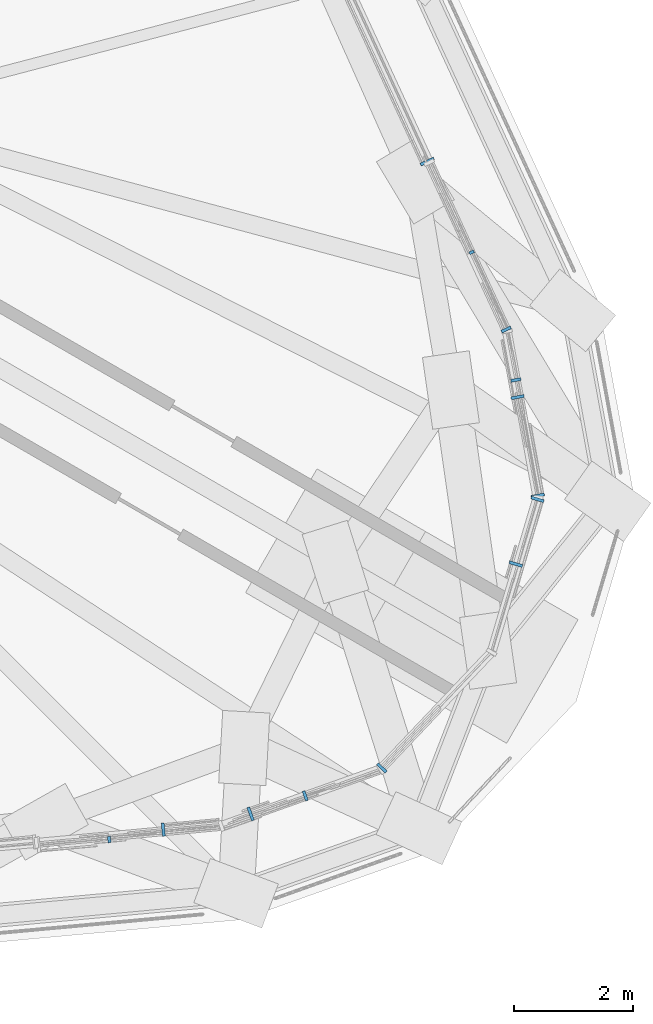
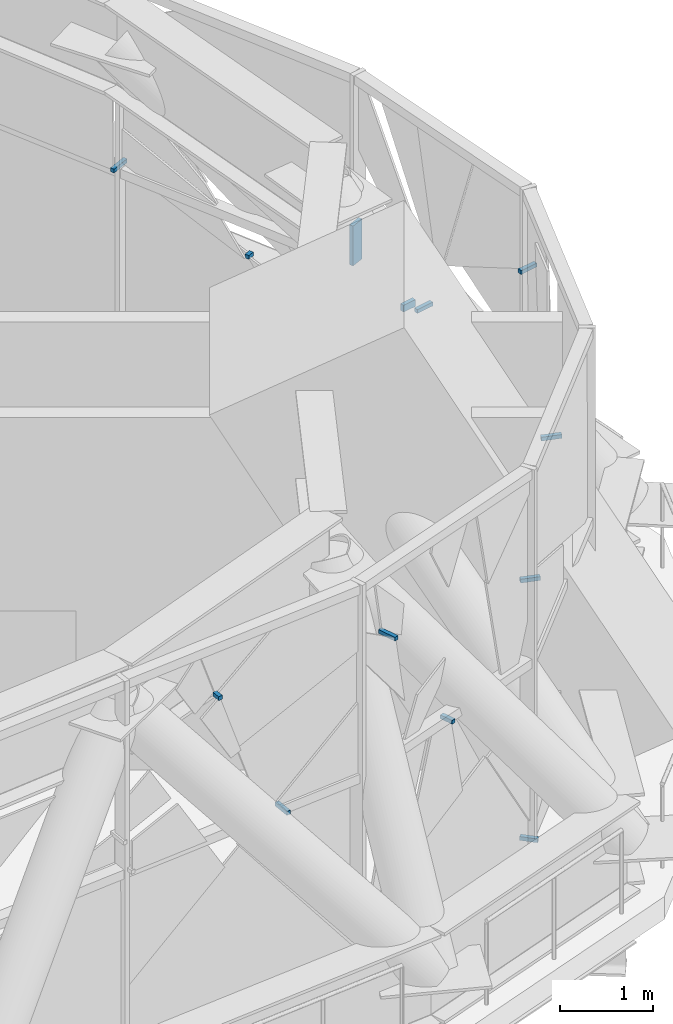
# One storey, part 29 of 35: 13 discrete accessories, 3 elements without a shape of their own.
"""IFC4 building model written with IfcOpenShell, lengths in metres."""

from ifc_helpers import new_model, si_unit, direction, frame, origin, origin_2d, place, context, subcontext, project, spatial, rectangle, extrude, material, layer, layer_set, type_object, element, aggregate, save


model = new_model("IFC4")

# Units and contexts
model_context = context("Model", 3, precision=1e-05, world=origin(), true_north=direction((0.0, 1.0)))
body_context = subcontext(model_context, "Body", "Model", "MODEL_VIEW")
ifc_project = project(units=[si_unit("LENGTHUNIT", "METRE"), si_unit("AREAUNIT", "SQUARE_METRE"), si_unit("VOLUMEUNIT", "CUBIC_METRE"), si_unit("PLANEANGLEUNIT", "RADIAN"), si_unit("MASSUNIT", "GRAM", prefix="KILO")], contexts=[model_context])

# Site, building, storey
site_placement = place(None, origin())
site = spatial("IfcSite", under=ifc_project, at=site_placement, CompositionType="ELEMENT")
building_placement = place(site_placement, origin())
building = spatial("IfcBuilding", under=site, at=building_placement, Name="Mestral Congress Tower", CompositionType="ELEMENT")
storey_placement = place(building_placement, frame((0.0, 0.0, 196.199951171875)))
storey = spatial("IfcBuildingStorey", under=building, at=storey_placement, Name="L46", CompositionType="ELEMENT", Elevation=196.199951171875)

# Curtain wall, discrete accessories
ifc_material_1 = material(Name="Clear low-emissivity double glazing", Category="glass")
curtain_wall_type = type_object("IfcCurtainWallType", Name="Facade refuge band screen", PredefinedType="USERDEFINED", material=ifc_material_1)
placement = place(storey_placement, origin())
curtain_wall_1 = element("IfcCurtainWall", 1, at=placement, inside=storey, type_object=curtain_wall_type, Name="Facade refuge band screen face 1", ObjectType="CURTAIN WALL", PredefinedType="USERDEFINED")
ifc_material_2 = material(Name="Steel S355", Category="steel")
ifc_layer = layer(ifc_material_2, 0.050048828125)
ifc_layer_set = layer_set([ifc_layer], Name="Steel S355")
discrete_accessory_type = type_object("IfcDiscreteAccessoryType", Name="Facade bracket", PredefinedType="BRACKET", material=ifc_layer_set)
discrete_accessory_1_placement = place(storey_placement, frame((21.134033203125, -18.367919921875, 2.51513671875), z_axis=(0.0, 0.0, 1.0), x_axis=(0.995808759512, 0.091459906404, 0.0)))
discrete_accessory_1 = element("IfcDiscreteAccessory", 2, at=discrete_accessory_1_placement, type_object=discrete_accessory_type, Name="Facade bracket", PredefinedType="BRACKET", context=body_context, shape_type="SweptSolid", body=[
    extrude(rectangle(XDim=0.050048828125, YDim=0.220703125, at=origin_2d()), origin(), (0.0, 0.0, 1.0), 0.050048828125),
])
discrete_accessory_2_placement = place(storey_placement, frame((20.225830078125, -18.53369140625, 4.41552734375), z_axis=(0.0, 0.0, 1.0), x_axis=(0.99580732274, 0.09147554852, 0.0)))
discrete_accessory_2 = element("IfcDiscreteAccessory", 3, at=discrete_accessory_2_placement, type_object=discrete_accessory_type, Name="Facade bracket", PredefinedType="BRACKET", context=body_context, shape_type="SweptSolid", body=[
    extrude(rectangle(XDim=0.05078125, YDim=0.10791015625, at=origin_2d()), origin(), (0.0, 0.0, 1.0), 0.05029296875),
])
aggregate(curtain_wall_1, [discrete_accessory_1, discrete_accessory_2])

curtain_wall_2 = element("IfcCurtainWall", 4, at=placement, inside=storey, type_object=curtain_wall_type, Name="Facade refuge band screen face 2", ObjectType="CURTAIN WALL", PredefinedType="USERDEFINED")
discrete_accessory_3_placement = place(storey_placement, frame((26.313720703125, -8.6689453125, 2.11376953125), z_axis=(0.0, 0.0, 1.0), x_axis=(-0.418745326156, 0.908103712041, 0.0)))
discrete_accessory_3 = element("IfcDiscreteAccessory", 5, at=discrete_accessory_3_placement, type_object=discrete_accessory_type, Name="Facade bracket", PredefinedType="BRACKET", context=body_context, shape_type="SweptSolid", body=[
    extrude(rectangle(XDim=0.050537109375, YDim=0.08251953125, at=origin_2d()), origin(), (0.0, 0.0, 1.0), 0.050537109375),
])
discrete_accessory_4_placement = place(storey_placement, frame((26.89453125, -9.9658203125, 2.635009765625), z_axis=(0.0, 0.0, 1.0), x_axis=(-0.418645472406, 0.908149750005, 0.0)))
discrete_accessory_4 = element("IfcDiscreteAccessory", 6, at=discrete_accessory_4_placement, type_object=discrete_accessory_type, Name="Facade bracket", PredefinedType="BRACKET", context=body_context, shape_type="SweptSolid", body=[
    extrude(rectangle(XDim=0.05078125, YDim=0.17041015625, at=origin_2d()), origin(), (0.0, 0.0, 1.0), 0.52490234375),
])
discrete_accessory_5_placement = place(storey_placement, frame((25.56787109375, -7.143798828125, 2.63525390625), z_axis=(0.0, 0.0, 1.0), x_axis=(-0.418704117285, 0.908122713166, 0.0)))
discrete_accessory_5 = element("IfcDiscreteAccessory", 7, at=discrete_accessory_5_placement, type_object=discrete_accessory_type, Name="Facade bracket", PredefinedType="BRACKET", context=body_context, shape_type="SweptSolid", body=[
    extrude(rectangle(XDim=0.050048828125, YDim=0.245361328125, at=origin_2d()), origin(), (0.0, 0.0, 1.0), 0.050048828125),
])
aggregate(curtain_wall_2, [discrete_accessory_3, discrete_accessory_4, discrete_accessory_5])

curtain_wall_3 = element("IfcCurtainWall", 8, at=placement, inside=storey, type_object=curtain_wall_type, Name="Facade refuge band screen corner 1", ObjectType="CURTAIN WALL", PredefinedType="USERDEFINED")
discrete_accessory_6_placement = place(storey_placement, frame((24.80517578125, -17.330810546875, 0.2001953125), z_axis=(0.0, 0.0, 1.0), x_axis=(0.687963276322, 0.725745499767, 0.0)))
discrete_accessory_6 = element("IfcDiscreteAccessory", 9, at=discrete_accessory_6_placement, type_object=discrete_accessory_type, Name="Facade bracket", PredefinedType="BRACKET", context=body_context, shape_type="SweptSolid", body=[
    extrude(rectangle(XDim=0.050048828125, YDim=0.199951171875, at=origin_2d()), origin(), (0.0, 0.0, 1.0), 0.050048828125),
])
discrete_accessory_7_placement = place(storey_placement, frame((23.51904296875, -17.799560546875, 2.51513671875), z_axis=(0.0, 0.0, 1.0), x_axis=(0.942056867312, 0.33545321395, 0.0)))
discrete_accessory_7 = element("IfcDiscreteAccessory", 10, at=discrete_accessory_7_placement, type_object=discrete_accessory_type, Name="Facade bracket", PredefinedType="BRACKET", context=body_context, shape_type="SweptSolid", body=[
    extrude(rectangle(XDim=0.050048828125, YDim=0.170166015625, at=origin_2d()), origin(), (0.0, 0.0, 1.0), 0.050048828125),
])
discrete_accessory_8_placement = place(storey_placement, frame((22.601318359375, -18.10400390625, 4.13134765625), z_axis=(0.0, 0.0, 1.0), x_axis=(0.942100184702, 0.335331540397, 0.0)))
discrete_accessory_8 = element("IfcDiscreteAccessory", 11, at=discrete_accessory_8_placement, type_object=discrete_accessory_type, Name="Facade bracket", PredefinedType="BRACKET", context=body_context, shape_type="SweptSolid", body=[
    extrude(rectangle(XDim=0.050048828125, YDim=0.234619140625, at=origin_2d()), origin(), (0.0, 0.0, 1.0), 0.050048828125),
])
discrete_accessory_9_placement = place(storey_placement, frame((27.42138671875, -12.8193359375, -0.02490234375), z_axis=(0.0, 0.0, 1.0), x_axis=(0.284545786801, 0.958662451134, 0.0)))
discrete_accessory_9 = element("IfcDiscreteAccessory", 12, at=discrete_accessory_9_placement, type_object=discrete_accessory_type, Name="Facade bracket", PredefinedType="BRACKET", context=body_context, shape_type="SweptSolid", body=[
    extrude(rectangle(XDim=0.050048828125, YDim=0.220703125, at=origin_2d()), origin(), (0.0, 0.0, 1.0), 0.050048828125),
])
discrete_accessory_10_placement = place(storey_placement, frame((27.056884765625, -13.90673828125, 2.63525390625), z_axis=(0.0, 0.0, 1.0), x_axis=(0.284547459982, 0.958661954506, 0.0)))
discrete_accessory_10 = element("IfcDiscreteAccessory", 13, at=discrete_accessory_10_placement, type_object=discrete_accessory_type, Name="Facade bracket", PredefinedType="BRACKET", context=body_context, shape_type="SweptSolid", body=[
    extrude(rectangle(XDim=0.050048828125, YDim=0.2294921875, at=origin_2d()), origin(), (0.0, 0.0, 1.0), 0.050048828125),
])
discrete_accessory_11_placement = place(storey_placement, frame((27.057373046875, -10.813720703125, 2.47607421875), z_axis=(0.0, 0.0, 1.0), x_axis=(-0.180689091505, 0.983540264662, 0.0)))
discrete_accessory_11 = element("IfcDiscreteAccessory", 14, at=discrete_accessory_11_placement, type_object=discrete_accessory_type, Name="Facade bracket", PredefinedType="BRACKET", context=body_context, shape_type="SweptSolid", body=[
    extrude(rectangle(XDim=0.050048828125, YDim=0.170166015625, at=origin_2d()), origin(), (0.0, 0.0, 1.0), 0.089111328125),
])
discrete_accessory_12_placement = place(storey_placement, frame((27.085693359375, -11.1015625, 2.63525390625), z_axis=(0.0, 0.0, 1.0), x_axis=(-0.180737156134, 0.983531433353, 0.0)))
discrete_accessory_12 = element("IfcDiscreteAccessory", 15, at=discrete_accessory_12_placement, type_object=discrete_accessory_type, Name="Facade bracket", PredefinedType="BRACKET", context=body_context, shape_type="SweptSolid", body=[
    extrude(rectangle(XDim=0.050048828125, YDim=0.22021484375, at=origin_2d()), origin(), (0.0, 0.0, 1.0), 0.050048828125),
])
discrete_accessory_13_placement = place(storey_placement, frame((27.42578125, -12.756591796875, 4.0341796875), z_axis=(0.0, 0.0, 1.0), x_axis=(-0.180659909198, 0.983545625382, 0.0)))
discrete_accessory_13 = element("IfcDiscreteAccessory", 16, at=discrete_accessory_13_placement, type_object=discrete_accessory_type, Name="Facade bracket", PredefinedType="BRACKET", context=body_context, shape_type="SweptSolid", body=[
    extrude(rectangle(XDim=0.05078125, YDim=0.223388671875, at=origin_2d()), origin(), (0.0, 0.0, 1.0), 0.050048828125),
])
aggregate(curtain_wall_3, [discrete_accessory_6, discrete_accessory_7, discrete_accessory_8, discrete_accessory_9, discrete_accessory_10, discrete_accessory_11, discrete_accessory_12, discrete_accessory_13])

save(model, "model.ifc")
